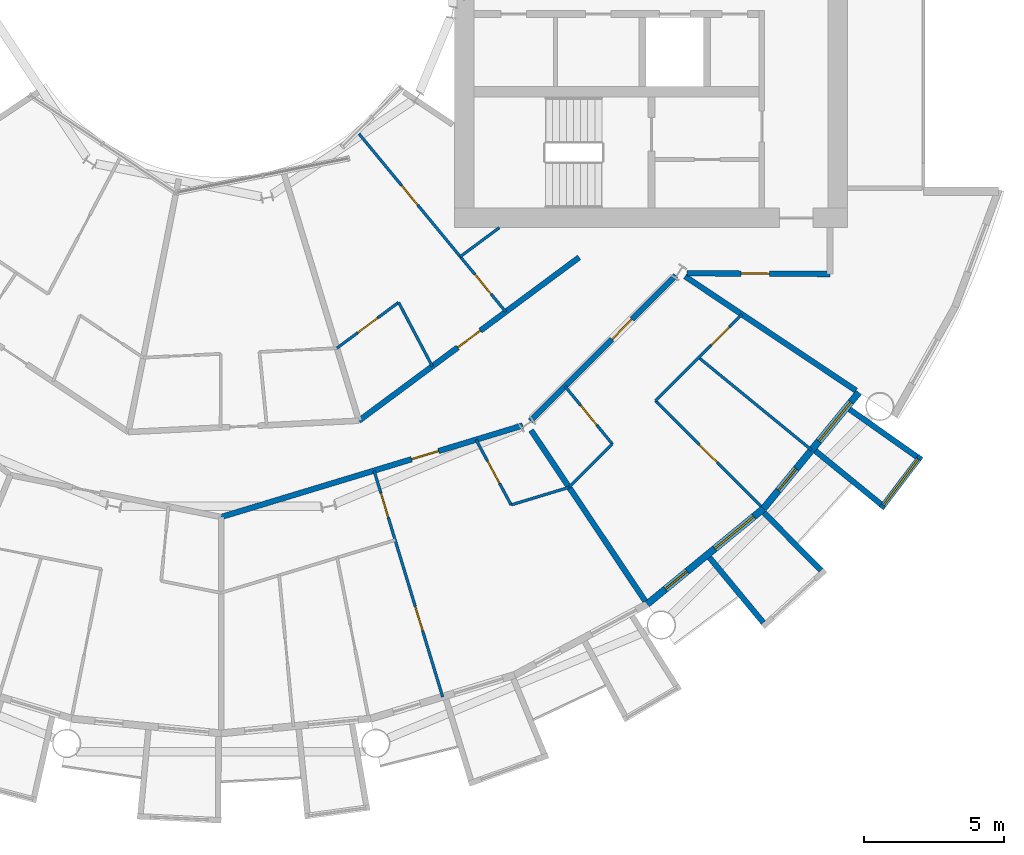
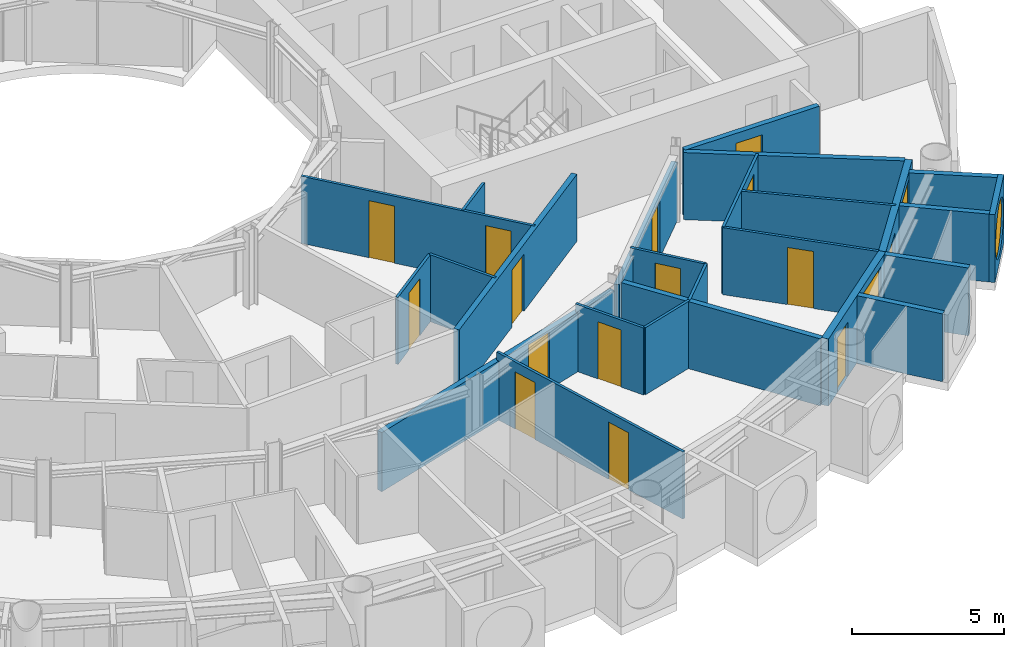
# One storey, part 16 of 26: 25 walls, 15 doors, 3 windows, 18 openings.
"""IFC4 building model written with IfcOpenShell, lengths in metres."""

from ifc_helpers import new_model, si_unit, direction, frame, frame_2d, origin, place, context, subcontext, project, spatial, rectangle, circle, extrude, material, layer, layer_set, type_object, element, fill, save


model = new_model("IFC4")

# Units and contexts
model_context = context("Model", 3, precision=1e-05, world=origin(), true_north=direction((0.0, 1.0)))
body_context = subcontext(model_context, "Body", "Model", "MODEL_VIEW")
ifc_project = project(units=[si_unit("LENGTHUNIT", "METRE"), si_unit("AREAUNIT", "SQUARE_METRE"), si_unit("VOLUMEUNIT", "CUBIC_METRE"), si_unit("PLANEANGLEUNIT", "RADIAN"), si_unit("MASSUNIT", "GRAM", prefix="KILO")], contexts=[model_context])

# Site, building, storey
site_placement = place(None, origin())
site = spatial("IfcSite", under=ifc_project, at=site_placement, CompositionType="ELEMENT")
building_placement = place(site_placement, origin())
building = spatial("IfcBuilding", under=site, at=building_placement, Name="Maasbend Ring Residences", CompositionType="ELEMENT")
storey_placement = place(building_placement, frame((0.0, 0.0, 88.0)))
storey = spatial("IfcBuildingStorey", under=building, at=storey_placement, Name="L25", CompositionType="ELEMENT", Elevation=88.0)

# Wall, opening, door
ifc_material_1 = material(Name="Concrete C30/37", Category="concrete")
ifc_layer_1 = layer(ifc_material_1, 0.199951171875)
ifc_layer_set_1 = layer_set([ifc_layer_1], Name="Concrete C30/37")
wall_type_1 = type_object("IfcWallType", Name="CORRIDOR WALL 200 CONCRETE", PredefinedType="PARTITIONING", material=ifc_layer_set_1)
wall_1_placement = place(storey_placement, frame((11.0, -16.18603515625, 0.0), z_axis=(0.0, 0.0, 1.0), x_axis=(0.707106781187, 0.707106781187, 0.0)))
wall_1 = element("IfcWall", 1, at=wall_1_placement, inside=storey, type_object=wall_type_1, Name="U-L25-w012", PredefinedType="PARTITIONING", context=body_context, shape_type="SweptSolid", body=[
    extrude(rectangle(XDim=7.334228515625, YDim=0.199951171875, at=frame_2d((3.6669921875, 0.0))), origin(), (0.0, 0.0, 1.0), 2.3798828125),
])
opening_1_placement = place(wall_1_placement, frame((4.123046875, 0.0, 0.0)))
opening_1 = element("IfcOpeningElement", 2, at=opening_1_placement, cuts=wall_1, Name="Opening D-2548", PredefinedType="OPENING", context=body_context, shape_type="SweptSolid", body=[
    extrude(rectangle(XDim=1.0, YDim=2.300048828125, at=frame_2d((0.5, 1.14990234375))), frame((0.0, 0.10986328125, 0.0), z_axis=(0.0, -1.0, 0.0), x_axis=(1.0, 0.0, 0.0)), (0.0, 0.0, 1.0), 0.219970703125),
])
ifc_material_2 = material(Name="Timber, fire-rated, painted", Category="wood")
door_type_1 = type_object("IfcDoorType", Name="FLAT ENTRANCE DOOR 1000 X 2300 FIRE-RATED", OperationType="NOTDEFINED", PredefinedType="DOOR", material=ifc_material_2)
door_1_placement = place(opening_1_placement, origin())
door_1 = element("IfcDoor", 3, at=door_1_placement, inside=storey, type_object=door_type_1, Name="D-2548", OperationType="SINGLE_SWING_RIGHT", OverallHeight=2.300048828125, OverallWidth=1.0, PredefinedType="DOOR", context=body_context, shape_type="SweptSolid", body=[
    extrude(rectangle(XDim=1.0, YDim=2.300048828125, at=frame_2d((0.5, 1.14990234375))), frame((0.0, 0.02490234375, 0.0), z_axis=(0.0, -1.0, 0.0), x_axis=(1.0, 0.0, 0.0)), (0.0, 0.0, 1.0), 0.050048828125),
])
fill(opening_1, door_1)

wall_2_placement = place(storey_placement, frame((0.0, -19.60009765625, 0.0), z_axis=(0.0, 0.0, 1.0), x_axis=(0.956932298225, 0.290311172044, 0.0)))
wall_2 = element("IfcWall", 4, at=wall_2_placement, inside=storey, type_object=wall_type_1, Name="U-L25-w014", PredefinedType="PARTITIONING", context=body_context, shape_type="SweptSolid", body=[
    extrude(rectangle(XDim=11.21923828125, YDim=0.199951171875, at=frame_2d((5.609619140625, 0.0))), origin(), (0.0, 0.0, 1.0), 2.3798828125),
])
opening_2_placement = place(wall_2_placement, frame((7.0859375, 0.0, 0.0)))
opening_2 = element("IfcOpeningElement", 5, at=opening_2_placement, cuts=wall_2, Name="Opening D-2542", PredefinedType="OPENING", context=body_context, shape_type="SweptSolid", body=[
    extrude(rectangle(XDim=1.0, YDim=2.300048828125, at=frame_2d((0.5, 1.14990234375))), frame((0.0, 0.10986328125, 0.0), z_axis=(0.0, -1.0, 0.0), x_axis=(1.0, 0.0, 0.0)), (0.0, 0.0, 1.0), 0.219970703125),
])
door_2_placement = place(opening_2_placement, origin())
door_2 = element("IfcDoor", 6, at=door_2_placement, inside=storey, type_object=door_type_1, Name="D-2542", OperationType="SINGLE_SWING_RIGHT", OverallHeight=2.300048828125, OverallWidth=1.0, PredefinedType="DOOR", context=body_context, shape_type="SweptSolid", body=[
    extrude(rectangle(XDim=1.0, YDim=2.300048828125, at=frame_2d((0.5, 1.14990234375))), frame((0.0, 0.02490234375, 0.0), z_axis=(0.0, -1.0, 0.0), x_axis=(1.0, 0.0, 0.0)), (0.0, 0.0, 1.0), 0.050048828125),
])
fill(opening_2, door_2)

wall_3_placement = place(storey_placement, frame((4.906005859375, -16.172119140625, 0.0), z_axis=(0.0, 0.0, 1.0), x_axis=(0.803191461888, 0.595720971219, 0.0)))
wall_3 = element("IfcWall", 7, at=wall_3_placement, inside=storey, type_object=wall_type_1, Name="U-L25-w016", PredefinedType="PARTITIONING", context=body_context, shape_type="SweptSolid", body=[
    extrude(rectangle(XDim=9.760009765625, YDim=0.199951171875, at=frame_2d((4.8798828125, 0.0))), origin(), (0.0, 0.0, 1.0), 2.699951171875),
])
opening_3_placement = place(wall_3_placement, frame((4.3798828125, 0.0, 0.0)))
opening_3 = element("IfcOpeningElement", 8, at=opening_3_placement, cuts=wall_3, Name="Opening D-2559", PredefinedType="OPENING", context=body_context, shape_type="SweptSolid", body=[
    extrude(rectangle(XDim=1.0, YDim=2.300048828125, at=frame_2d((0.5, 1.14990234375))), frame((0.0, 0.10986328125, 0.0), z_axis=(0.0, -1.0, 0.0), x_axis=(1.0, 0.0, 0.0)), (0.0, 0.0, 1.0), 0.219970703125),
])
door_3_placement = place(opening_3_placement, origin())
door_3 = element("IfcDoor", 9, at=door_3_placement, inside=storey, type_object=door_type_1, Name="D-2559", OperationType="SINGLE_SWING_LEFT", OverallHeight=2.300048828125, OverallWidth=1.0, PredefinedType="DOOR", context=body_context, shape_type="SweptSolid", body=[
    extrude(rectangle(XDim=1.0, YDim=2.300048828125, at=frame_2d((0.5, 1.14990234375))), frame((0.0, 0.02490234375, 0.0), z_axis=(0.0, -1.0, 0.0), x_axis=(1.0, 0.0, 0.0)), (0.0, 0.0, 1.0), 0.050048828125),
])
fill(opening_3, door_3)

wall_4_placement = place(storey_placement, frame((16.587890625, -10.925048828125, 0.0), z_axis=(0.0, 0.0, 1.0), x_axis=(0.999988019025, -0.004895079807, 0.0)))
wall_4 = element("IfcWall", 10, at=wall_4_placement, inside=storey, type_object=wall_type_1, Name="U-L25-w025", PredefinedType="PARTITIONING", context=body_context, shape_type="SweptSolid", body=[
    extrude(rectangle(XDim=5.087158203125, YDim=0.199951171875, at=frame_2d((2.54345703125, 0.0))), origin(), (0.0, 0.0, 1.0), 2.699951171875),
])
opening_4_placement = place(wall_4_placement, frame((1.925048828125, 0.0, 0.0)))
opening_4 = element("IfcOpeningElement", 11, at=opening_4_placement, cuts=wall_4, Name="Opening D-2565", PredefinedType="OPENING", context=body_context, shape_type="SweptSolid", body=[
    extrude(rectangle(XDim=1.0, YDim=2.300048828125, at=frame_2d((0.5, 1.14990234375))), frame((0.0, 0.10986328125, 0.0), z_axis=(0.0, -1.0, 0.0), x_axis=(1.0, 0.0, 0.0)), (0.0, 0.0, 1.0), 0.219970703125),
])
ifc_material_3 = material(Name="Timber, painted", Category="wood")
door_type_2 = type_object("IfcDoorType", Name="ROOM DOOR 1000 X 2300", OperationType="NOTDEFINED", PredefinedType="DOOR", material=ifc_material_3)
door_4_placement = place(opening_4_placement, origin())
door_4 = element("IfcDoor", 12, at=door_4_placement, inside=storey, type_object=door_type_2, Name="D-2565", OperationType="SINGLE_SWING_LEFT", OverallHeight=2.300048828125, OverallWidth=1.0, PredefinedType="DOOR", context=body_context, shape_type="SweptSolid", body=[
    extrude(rectangle(XDim=1.0, YDim=2.300048828125, at=frame_2d((0.5, 1.14990234375))), frame((0.0, 0.02490234375, 0.0), z_axis=(0.0, -1.0, 0.0), x_axis=(1.0, 0.0, 0.0)), (0.0, 0.0, 1.0), 0.050048828125),
])
fill(opening_4, door_4)

# Walls
ifc_material_4 = material(Name="Pale anodised aluminium panel", Category="aluminium")
ifc_layer_2 = layer(ifc_material_4, 0.199951171875)
ifc_layer_set_2 = layer_set([ifc_layer_2], Name="EW-BOX")
wall_type_2 = type_object("IfcWallType", Name="EW-BOX", PredefinedType="SOLIDWALL", material=ifc_layer_set_2)
wall_5_placement = place(storey_placement, frame((17.384033203125, -21.041015625, -0.030029296875), z_axis=(0.0, 0.0, 1.0), x_axis=(0.63709551667, -0.770784861449, 0.0)))
element("IfcWall", 13, at=wall_5_placement, inside=storey, type_object=wall_type_2, Name="Box side wall S18 left", PredefinedType="SOLIDWALL", context=body_context, shape_type="SweptSolid", body=[
    extrude(rectangle(XDim=3.005859375, YDim=0.199951171875, at=frame_2d((1.5029296875, 0.0))), origin(), (0.0, 0.0, 1.0), 2.72998046875),
])
wall_6_placement = place(storey_placement, frame((19.322998046875, -19.449951171875, -0.030029296875), z_axis=(0.0, 0.0, 1.0), x_axis=(0.704476739375, -0.709727076896, 0.0)))
element("IfcWall", 14, at=wall_6_placement, inside=storey, type_object=wall_type_2, Name="Box side wall S18 right", PredefinedType="SOLIDWALL", context=body_context, shape_type="SweptSolid", body=[
    extrude(rectangle(XDim=2.883056640625, YDim=0.199951171875, at=frame_2d((1.44140625, 0.0))), origin(), (0.0, 0.0, 1.0), 2.72998046875),
])

# Wall, opening, window
wall_7_placement = place(storey_placement, frame((23.4970703125, -19.2890625, -0.030029296875), z_axis=(0.0, 0.0, 1.0), x_axis=(0.60418752353, 0.796842165306, 0.0)))
wall_7 = element("IfcWall", 15, at=wall_7_placement, inside=storey, type_object=wall_type_2, Name="Box front S20", PredefinedType="SOLIDWALL", context=body_context, shape_type="SweptSolid", body=[
    extrude(rectangle(XDim=2.3369140625, YDim=0.199951171875, at=frame_2d((1.16845703125, 0.0))), origin(), (0.0, 0.0, 1.0), 2.72998046875),
])
opening_5_placement = place(wall_7_placement, frame((0.128173828125, 0.0, 0.330078125)))
opening_5 = element("IfcOpeningElement", 16, at=opening_5_placement, cuts=wall_7, Name="Opening W-RD", PredefinedType="OPENING", context=body_context, shape_type="SweptSolid", body=[
    extrude(circle(Radius=1.0400390625, at=frame_2d((1.0400390625, 1.0400390625))), frame((0.0, 0.10986328125, 0.0), z_axis=(0.0, -1.0, 0.0), x_axis=(1.0, 0.0, 0.0)), (0.0, 0.0, 1.0), 0.219970703125),
])
ifc_material_5 = material(Name="Aluminium and clear glass", Category="aluminium")
window_type_1 = type_object("IfcWindowType", Name="W-RD", PartitioningType="SINGLE_PANEL", PredefinedType="WINDOW", material=ifc_material_5)
window_1_placement = place(opening_5_placement, origin())
window_1 = element("IfcWindow", 17, at=window_1_placement, inside=storey, type_object=window_type_1, Name="Round window S20", OverallHeight=2.080078125, OverallWidth=2.080078125, PartitioningType="SINGLE_PANEL", PredefinedType="WINDOW", context=body_context, shape_type="SweptSolid", body=[
    extrude(circle(Radius=1.0400390625, at=frame_2d((1.0400390625, 1.0400390625))), frame((0.0, 0.030029296875, 0.0), z_axis=(0.0, -1.0, 0.0), x_axis=(1.0, 0.0, 0.0)), (0.0, 0.0, 1.0), 0.06005859375),
])
fill(opening_5, window_1)

# Walls
wall_8_placement = place(storey_placement, frame((21.155029296875, -17.24609375, -0.030029296875), z_axis=(0.0, 0.0, 1.0), x_axis=(0.775179004516, -0.631741648902, 0.0)))
element("IfcWall", 18, at=wall_8_placement, inside=storey, type_object=wall_type_2, Name="Box side wall S20 left", PredefinedType="SOLIDWALL", context=body_context, shape_type="SweptSolid", body=[
    extrude(rectangle(XDim=3.005859375, YDim=0.199951171875, at=frame_2d((1.5029296875, 0.0))), origin(), (0.0, 0.0, 1.0), 2.72998046875),
])
wall_9_placement = place(storey_placement, frame((22.3701171875, -15.764892578125, -0.030029296875), z_axis=(0.0, 0.0, 1.0), x_axis=(0.817256123454, -0.576274612209, 0.0)))
element("IfcWall", 19, at=wall_9_placement, inside=storey, type_object=wall_type_2, Name="Box side wall S20 right", PredefinedType="SOLIDWALL", context=body_context, shape_type="SweptSolid", body=[
    extrude(rectangle(XDim=2.932861328125, YDim=0.199951171875, at=frame_2d((1.46630859375, 0.0))), origin(), (0.0, 0.0, 1.0), 2.72998046875),
])

# Wall, openings, door, window
ifc_material_6 = material(Name="Aluminium clad insulated panel", Category="aluminium")
ifc_layer_3 = layer(ifc_material_6, 0.25)
ifc_layer_set_3 = layer_set([ifc_layer_3], Name="EW-GL")
wall_type_3 = type_object("IfcWallType", Name="EW-GL", PredefinedType="SOLIDWALL", material=ifc_layer_set_3)
wall_10_placement = place(storey_placement, frame((15.1669921875, -22.698974609375, 0.0), z_axis=(0.0, 0.0, 1.0), x_axis=(0.773019449054, 0.634382322723, 0.0)))
wall_10 = element("IfcWall", 20, at=wall_10_placement, inside=storey, type_object=wall_type_3, Name="External wall S09", PredefinedType="SOLIDWALL", context=body_context, shape_type="SweptSolid", body=[
    extrude(rectangle(XDim=5.351806640625, YDim=0.25, at=frame_2d((2.67578125, 0.0))), origin(), (0.0, 0.0, 1.0), 2.699951171875),
])
opening_6_placement = place(wall_10_placement, frame((0.841064453125, 0.0, 0.0)))
opening_6 = element("IfcOpeningElement", 21, at=opening_6_placement, cuts=wall_10, Name="Opening D-LG", PredefinedType="OPENING", context=body_context, shape_type="SweptSolid", body=[
    extrude(rectangle(XDim=1.0, YDim=2.199951171875, at=frame_2d((0.5, 1.10009765625))), frame((0.0, 0.135009765625, 0.0), z_axis=(0.0, -1.0, 0.0), x_axis=(1.0, 0.0, 0.0)), (0.0, 0.0, 1.0), 0.27001953125),
])
opening_7_placement = place(wall_10_placement, frame((3.110595703125, 0.0, 0.300048828125)))
opening_7 = element("IfcOpeningElement", 22, at=opening_7_placement, cuts=wall_10, Name="Opening W-BX", PredefinedType="OPENING", context=body_context, shape_type="SweptSolid", body=[
    extrude(rectangle(XDim=1.800048828125, YDim=2.10009765625, at=frame_2d((0.89990234375, 1.050048828125))), frame((0.0, 0.135009765625, 0.0), z_axis=(0.0, -1.0, 0.0), x_axis=(1.0, 0.0, 0.0)), (0.0, 0.0, 1.0), 0.27001953125),
])
ifc_material_7 = material(Name="Aluminium and clear glass", Category="aluminium")
door_type_3 = type_object("IfcDoorType", Name="D-LG", OperationType="SINGLE_SWING_LEFT", PredefinedType="DOOR", material=ifc_material_7)
door_5_placement = place(opening_6_placement, origin())
door_5 = element("IfcDoor", 23, at=door_5_placement, inside=storey, type_object=door_type_3, Name="Loggia door S17", OperationType="SINGLE_SWING_LEFT", OverallHeight=2.199951171875, OverallWidth=1.0, PredefinedType="DOOR", context=body_context, shape_type="SweptSolid", body=[
    extrude(rectangle(XDim=1.0, YDim=2.199951171875, at=frame_2d((0.5, 1.10009765625))), frame((0.0, 0.02490234375, 0.0), z_axis=(0.0, -1.0, 0.0), x_axis=(1.0, 0.0, 0.0)), (0.0, 0.0, 1.0), 0.050048828125),
])
fill(opening_6, door_5)
ifc_material_8 = material(Name="Aluminium and clear glass", Category="aluminium")
window_type_2 = type_object("IfcWindowType", Name="W-BX", PartitioningType="DOUBLE_PANEL_VERTICAL", PredefinedType="WINDOW", material=ifc_material_8)
window_2_placement = place(opening_7_placement, origin())
window_2 = element("IfcWindow", 24, at=window_2_placement, inside=storey, type_object=window_type_2, Name="Window S18 room to box", OverallHeight=2.10009765625, OverallWidth=1.800048828125, PartitioningType="SINGLE_PANEL", PredefinedType="WINDOW", context=body_context, shape_type="SweptSolid", body=[
    extrude(rectangle(XDim=1.800048828125, YDim=2.10009765625, at=frame_2d((0.89990234375, 1.050048828125))), frame((0.0, 0.030029296875, 0.0), z_axis=(0.0, -1.0, 0.0), x_axis=(1.0, 0.0, 0.0)), (0.0, 0.0, 1.0), 0.06005859375),
])
fill(opening_7, window_2)

wall_11_placement = place(storey_placement, frame((19.303955078125, -19.303955078125, 0.0), z_axis=(0.0, 0.0, 1.0), x_axis=(0.634382322723, 0.773019449054, 0.0)))
wall_11 = element("IfcWall", 25, at=wall_11_placement, inside=storey, type_object=wall_type_3, Name="External wall S10", PredefinedType="SOLIDWALL", context=body_context, shape_type="SweptSolid", body=[
    extrude(rectangle(XDim=5.351806640625, YDim=0.25, at=frame_2d((2.67578125, 0.0))), origin(), (0.0, 0.0, 1.0), 2.699951171875),
])
opening_8_placement = place(wall_11_placement, frame((0.841064453125, 0.0, 0.0)))
opening_8 = element("IfcOpeningElement", 26, at=opening_8_placement, cuts=wall_11, Name="Opening D-LG", PredefinedType="OPENING", context=body_context, shape_type="SweptSolid", body=[
    extrude(rectangle(XDim=1.0, YDim=2.199951171875, at=frame_2d((0.5, 1.10009765625))), frame((0.0, 0.135009765625, 0.0), z_axis=(0.0, -1.0, 0.0), x_axis=(1.0, 0.0, 0.0)), (0.0, 0.0, 1.0), 0.27001953125),
])
opening_9_placement = place(wall_11_placement, frame((3.110595703125, 0.0, 0.300048828125)))
opening_9 = element("IfcOpeningElement", 27, at=opening_9_placement, cuts=wall_11, Name="Opening W-BX", PredefinedType="OPENING", context=body_context, shape_type="SweptSolid", body=[
    extrude(rectangle(XDim=1.800048828125, YDim=2.10009765625, at=frame_2d((0.89990234375, 1.050048828125))), frame((0.0, 0.135009765625, 0.0), z_axis=(0.0, -1.0, 0.0), x_axis=(1.0, 0.0, 0.0)), (0.0, 0.0, 1.0), 0.27001953125),
])
door_6_placement = place(opening_8_placement, origin())
door_6 = element("IfcDoor", 28, at=door_6_placement, inside=storey, type_object=door_type_3, Name="Loggia door S19", OperationType="SINGLE_SWING_LEFT", OverallHeight=2.199951171875, OverallWidth=1.0, PredefinedType="DOOR", context=body_context, shape_type="SweptSolid", body=[
    extrude(rectangle(XDim=1.0, YDim=2.199951171875, at=frame_2d((0.5, 1.10009765625))), frame((0.0, 0.02490234375, 0.0), z_axis=(0.0, -1.0, 0.0), x_axis=(1.0, 0.0, 0.0)), (0.0, 0.0, 1.0), 0.050048828125),
])
fill(opening_8, door_6)
window_3_placement = place(opening_9_placement, origin())
window_3 = element("IfcWindow", 29, at=window_3_placement, inside=storey, type_object=window_type_2, Name="Window S20 room to box", OverallHeight=2.10009765625, OverallWidth=1.800048828125, PartitioningType="SINGLE_PANEL", PredefinedType="WINDOW", context=body_context, shape_type="SweptSolid", body=[
    extrude(rectangle(XDim=1.800048828125, YDim=2.10009765625, at=frame_2d((0.89990234375, 1.050048828125))), frame((0.0, 0.030029296875, 0.0), z_axis=(0.0, -1.0, 0.0), x_axis=(1.0, 0.0, 0.0)), (0.0, 0.0, 1.0), 0.06005859375),
])
fill(opening_9, window_3)

# Wall
ifc_material_9 = material(Name="Gypsum board on steel studs", Category="steel")
ifc_layer_4 = layer(ifc_material_9, 0.10009765625)
ifc_layer_set_4 = layer_set([ifc_layer_4], Name="PARTITION 100 GYPSUM")
wall_type_4 = type_object("IfcWallType", Name="PARTITION 100 GYPSUM", PredefinedType="PARTITIONING", material=ifc_layer_set_4)
wall_12_placement = place(storey_placement, frame((12.388916015625, -18.5419921875, 0.0), z_axis=(0.0, 0.0, 1.0), x_axis=(0.707106781187, 0.707106781187, 0.0)))
element("IfcWall", 30, at=wall_12_placement, inside=storey, type_object=wall_type_4, Name="U-L25-w003", PredefinedType="PARTITIONING", context=body_context, shape_type="SweptSolid", body=[
    extrude(rectangle(XDim=2.17529296875, YDim=0.10009765625, at=frame_2d((1.087646484375, 0.0))), origin(), (0.0, 0.0, 1.0), 2.699951171875),
])

# Wall, opening, door
wall_13_placement = place(storey_placement, frame((15.468017578125, -15.462890625, 0.0), z_axis=(0.0, 0.0, 1.0), x_axis=(0.707106781187, 0.707106781187, 0.0)))
wall_13 = element("IfcWall", 31, at=wall_13_placement, inside=storey, type_object=wall_type_4, Name="U-L25-w004", PredefinedType="PARTITIONING", context=body_context, shape_type="SweptSolid", body=[
    extrude(rectangle(XDim=4.351318359375, YDim=0.10009765625, at=frame_2d((2.17578125, 0.0))), origin(), (0.0, 0.0, 1.0), 2.699951171875),
])
opening_10_placement = place(wall_13_placement, frame((2.80810546875, 0.0, 0.0)))
opening_10 = element("IfcOpeningElement", 32, at=opening_10_placement, cuts=wall_13, Name="Opening D-2551", PredefinedType="OPENING", context=body_context, shape_type="SweptSolid", body=[
    extrude(rectangle(XDim=0.89990234375, YDim=2.300048828125, at=frame_2d((0.449951171875, 1.14990234375))), frame((0.0, 0.06005859375, 0.0), z_axis=(0.0, -1.0, 0.0), x_axis=(1.0, 0.0, 0.0)), (0.0, 0.0, 1.0), 0.1201171875),
])
ifc_material_10 = material(Name="Timber, painted", Category="wood")
door_type_4 = type_object("IfcDoorType", Name="INTERNAL DOOR 900 X 2300", OperationType="NOTDEFINED", PredefinedType="DOOR", material=ifc_material_10)
door_7_placement = place(opening_10_placement, origin())
door_7 = element("IfcDoor", 33, at=door_7_placement, inside=storey, type_object=door_type_4, Name="D-2551", OperationType="SINGLE_SWING_RIGHT", OverallHeight=2.300048828125, OverallWidth=0.89990234375, PredefinedType="DOOR", context=body_context, shape_type="SweptSolid", body=[
    extrude(rectangle(XDim=0.89990234375, YDim=2.300048828125, at=frame_2d((0.449951171875, 1.14990234375))), frame((0.0, 0.02490234375, 0.0), z_axis=(0.0, -1.0, 0.0), x_axis=(1.0, 0.0, 0.0)), (0.0, 0.0, 1.0), 0.050048828125),
])
fill(opening_10, door_7)

# Wall
wall_14_placement = place(storey_placement, frame((10.326904296875, -19.16796875, 0.0), z_axis=(0.0, 0.0, 1.0), x_axis=(0.956877769253, 0.290490851335, 0.0)))
element("IfcWall", 34, at=wall_14_placement, inside=storey, type_object=wall_type_4, Name="U-L25-w010", PredefinedType="PARTITIONING", context=body_context, shape_type="SweptSolid", body=[
    extrude(rectangle(XDim=2.158203125, YDim=0.10009765625, at=frame_2d((1.0791015625, 0.0))), origin(), (0.0, 0.0, 1.0), 2.699951171875),
])

# Wall, opening, door
wall_15_placement = place(storey_placement, frame((4.123046875, -13.589111328125, 0.0), z_axis=(0.0, 0.0, 1.0), x_axis=(0.803128348509, 0.595806055542, 0.0)))
wall_15 = element("IfcWall", 35, at=wall_15_placement, inside=storey, type_object=wall_type_4, Name="U-L25-w020", PredefinedType="PARTITIONING", context=body_context, shape_type="SweptSolid", body=[
    extrude(rectangle(XDim=2.734375, YDim=0.10009765625, at=frame_2d((1.3671875, 0.0))), origin(), (0.0, 0.0, 1.0), 2.699951171875),
])
opening_11_placement = place(wall_15_placement, frame((0.916015625, 0.0, 0.0)))
opening_11 = element("IfcOpeningElement", 36, at=opening_11_placement, cuts=wall_15, Name="Opening D-2560", PredefinedType="OPENING", context=body_context, shape_type="SweptSolid", body=[
    extrude(rectangle(XDim=0.89990234375, YDim=2.300048828125, at=frame_2d((0.449951171875, 1.14990234375))), frame((0.0, 0.06005859375, 0.0), z_axis=(0.0, -1.0, 0.0), x_axis=(1.0, 0.0, 0.0)), (0.0, 0.0, 1.0), 0.1201171875),
])
door_8_placement = place(opening_11_placement, origin())
door_8 = element("IfcDoor", 37, at=door_8_placement, inside=storey, type_object=door_type_4, Name="D-2560", OperationType="SINGLE_SWING_LEFT", OverallHeight=2.300048828125, OverallWidth=0.89990234375, PredefinedType="DOOR", context=body_context, shape_type="SweptSolid", body=[
    extrude(rectangle(XDim=0.89990234375, YDim=2.300048828125, at=frame_2d((0.449951171875, 1.14990234375))), frame((0.0, 0.02490234375, 0.0), z_axis=(0.0, -1.0, 0.0), x_axis=(1.0, 0.0, 0.0)), (0.0, 0.0, 1.0), 0.050048828125),
])
fill(opening_11, door_8)

# Wall
wall_16_placement = place(storey_placement, frame((8.512939453125, -10.33203125, 0.0), z_axis=(0.0, 0.0, 1.0), x_axis=(0.803135014325, 0.595797070121, 0.0)))
element("IfcWall", 38, at=wall_16_placement, inside=storey, type_object=wall_type_4, Name="U-L25-w021", PredefinedType="PARTITIONING", context=body_context, shape_type="SweptSolid", body=[
    extrude(rectangle(XDim=1.732177734375, YDim=0.10009765625, at=frame_2d((0.8662109375, 0.0))), origin(), (0.0, 0.0, 1.0), 2.699951171875),
])

# Wall, openings, doors
wall_17_placement = place(storey_placement, frame((4.907958984375, -5.958984375, 0.0), z_axis=(0.0, 0.0, 1.0), x_axis=(0.636105207978, -0.771602335652, 0.0)))
wall_17 = element("IfcWall", 39, at=wall_17_placement, inside=storey, type_object=wall_type_4, Name="U-L25-w067", PredefinedType="PARTITIONING", context=body_context, shape_type="SweptSolid", body=[
    extrude(rectangle(XDim=8.212646484375, YDim=0.10009765625, at=frame_2d((4.1064453125, 0.0))), origin(), (0.0, 0.0, 1.0), 2.699951171875),
])
opening_12_placement = place(wall_17_placement, frame((6.489990234375, 0.0, 0.0)))
opening_12 = element("IfcOpeningElement", 40, at=opening_12_placement, cuts=wall_17, Name="Opening D-2561", PredefinedType="OPENING", context=body_context, shape_type="SweptSolid", body=[
    extrude(rectangle(XDim=0.89990234375, YDim=2.300048828125, at=frame_2d((0.449951171875, 1.14990234375))), frame((0.0, 0.06005859375, 0.0), z_axis=(0.0, -1.0, 0.0), x_axis=(1.0, 0.0, 0.0)), (0.0, 0.0, 1.0), 0.1201171875),
])
opening_13_placement = place(wall_17_placement, frame((2.384033203125, 0.0, 0.0)))
opening_13 = element("IfcOpeningElement", 41, at=opening_13_placement, cuts=wall_17, Name="Opening D-2562", PredefinedType="OPENING", context=body_context, shape_type="SweptSolid", body=[
    extrude(rectangle(XDim=0.89990234375, YDim=2.300048828125, at=frame_2d((0.449951171875, 1.14990234375))), frame((0.0, 0.06005859375, 0.0), z_axis=(0.0, -1.0, 0.0), x_axis=(1.0, 0.0, 0.0)), (0.0, 0.0, 1.0), 0.1201171875),
])
door_9_placement = place(opening_12_placement, origin())
door_9 = element("IfcDoor", 42, at=door_9_placement, inside=storey, type_object=door_type_4, Name="D-2561", OperationType="SINGLE_SWING_RIGHT", OverallHeight=2.300048828125, OverallWidth=0.89990234375, PredefinedType="DOOR", context=body_context, shape_type="SweptSolid", body=[
    extrude(rectangle(XDim=0.89990234375, YDim=2.300048828125, at=frame_2d((0.449951171875, 1.14990234375))), frame((0.0, 0.02490234375, 0.0), z_axis=(0.0, -1.0, 0.0), x_axis=(1.0, 0.0, 0.0)), (0.0, 0.0, 1.0), 0.050048828125),
])
fill(opening_12, door_9)
door_10_placement = place(opening_13_placement, origin())
door_10 = element("IfcDoor", 43, at=door_10_placement, inside=storey, type_object=door_type_4, Name="D-2562", OperationType="SINGLE_SWING_LEFT", OverallHeight=2.300048828125, OverallWidth=0.89990234375, PredefinedType="DOOR", context=body_context, shape_type="SweptSolid", body=[
    extrude(rectangle(XDim=0.89990234375, YDim=2.300048828125, at=frame_2d((0.449951171875, 1.14990234375))), frame((0.0, 0.02490234375, 0.0), z_axis=(0.0, -1.0, 0.0), x_axis=(1.0, 0.0, 0.0)), (0.0, 0.0, 1.0), 0.050048828125),
])
fill(opening_13, door_10)

wall_18_placement = place(storey_placement, frame((5.445068359375, -17.947998046875, 0.0), z_axis=(0.0, 0.0, 1.0), x_axis=(0.290158700753, -0.956978541231, 0.0)))
wall_18 = element("IfcWall", 44, at=wall_18_placement, inside=storey, type_object=wall_type_4, Name="U-L25-w069", PredefinedType="PARTITIONING", context=body_context, shape_type="SweptSolid", body=[
    extrude(rectangle(XDim=8.419189453125, YDim=0.10009765625, at=frame_2d((4.20947265625, 0.0))), origin(), (0.0, 0.0, 1.0), 2.699951171875),
])
opening_14_placement = place(wall_18_placement, frame((0.842041015625, 0.0, 0.0)))
opening_14 = element("IfcOpeningElement", 45, at=opening_14_placement, cuts=wall_18, Name="Opening D-2544", PredefinedType="OPENING", context=body_context, shape_type="SweptSolid", body=[
    extrude(rectangle(XDim=0.89990234375, YDim=2.300048828125, at=frame_2d((0.449951171875, 1.14990234375))), frame((0.0, 0.06005859375, 0.0), z_axis=(0.0, -1.0, 0.0), x_axis=(1.0, 0.0, 0.0)), (0.0, 0.0, 1.0), 0.1201171875),
])
opening_15_placement = place(wall_18_placement, frame((5.052001953125, 0.0, 0.0)))
opening_15 = element("IfcOpeningElement", 46, at=opening_15_placement, cuts=wall_18, Name="Opening D-2545", PredefinedType="OPENING", context=body_context, shape_type="SweptSolid", body=[
    extrude(rectangle(XDim=0.89990234375, YDim=2.300048828125, at=frame_2d((0.449951171875, 1.14990234375))), frame((0.0, 0.06005859375, 0.0), z_axis=(0.0, -1.0, 0.0), x_axis=(1.0, 0.0, 0.0)), (0.0, 0.0, 1.0), 0.1201171875),
])
door_11_placement = place(opening_14_placement, origin())
door_11 = element("IfcDoor", 47, at=door_11_placement, inside=storey, type_object=door_type_4, Name="D-2544", OperationType="SINGLE_SWING_LEFT", OverallHeight=2.300048828125, OverallWidth=0.89990234375, PredefinedType="DOOR", context=body_context, shape_type="SweptSolid", body=[
    extrude(rectangle(XDim=0.89990234375, YDim=2.300048828125, at=frame_2d((0.449951171875, 1.14990234375))), frame((0.0, 0.02490234375, 0.0), z_axis=(0.0, -1.0, 0.0), x_axis=(1.0, 0.0, 0.0)), (0.0, 0.0, 1.0), 0.050048828125),
])
fill(opening_14, door_11)
door_12_placement = place(opening_15_placement, origin())
door_12 = element("IfcDoor", 48, at=door_12_placement, inside=storey, type_object=door_type_4, Name="D-2545", OperationType="SINGLE_SWING_RIGHT", OverallHeight=2.300048828125, OverallWidth=0.89990234375, PredefinedType="DOOR", context=body_context, shape_type="SweptSolid", body=[
    extrude(rectangle(XDim=0.89990234375, YDim=2.300048828125, at=frame_2d((0.449951171875, 1.14990234375))), frame((0.0, 0.02490234375, 0.0), z_axis=(0.0, -1.0, 0.0), x_axis=(1.0, 0.0, 0.0)), (0.0, 0.0, 1.0), 0.050048828125),
])
fill(opening_15, door_12)

# Wall
wall_19_placement = place(storey_placement, frame((6.31689453125, -11.9599609375, 0.0), z_axis=(0.0, 0.0, 1.0), x_axis=(0.466880254022, -0.884320546185, 0.0)))
element("IfcWall", 49, at=wall_19_placement, inside=storey, type_object=wall_type_4, Name="U-L25-w071", PredefinedType="PARTITIONING", context=body_context, shape_type="SweptSolid", body=[
    extrude(rectangle(XDim=2.57275390625, YDim=0.10009765625, at=frame_2d((1.286376953125, 0.0))), origin(), (0.0, 0.0, 1.0), 2.699951171875),
])

# Wall, opening, door
wall_20_placement = place(storey_placement, frame((9.073974609375, -16.846923828125, 0.0), z_axis=(0.0, 0.0, 1.0), x_axis=(0.474160570331, -0.880438387136, 0.0)))
wall_20 = element("IfcWall", 50, at=wall_20_placement, inside=storey, type_object=wall_type_4, Name="U-L25-w073", PredefinedType="PARTITIONING", context=body_context, shape_type="SweptSolid", body=[
    extrude(rectangle(XDim=2.63623046875, YDim=0.10009765625, at=frame_2d((1.318115234375, 0.0))), origin(), (0.0, 0.0, 1.0), 2.699951171875),
])
opening_16_placement = place(wall_20_placement, frame((0.867919921875, 0.0, 0.0)))
opening_16 = element("IfcOpeningElement", 51, at=opening_16_placement, cuts=wall_20, Name="Opening D-2543", PredefinedType="OPENING", context=body_context, shape_type="SweptSolid", body=[
    extrude(rectangle(XDim=0.89990234375, YDim=2.300048828125, at=frame_2d((0.449951171875, 1.14990234375))), frame((0.0, 0.06005859375, 0.0), z_axis=(0.0, -1.0, 0.0), x_axis=(1.0, 0.0, 0.0)), (0.0, 0.0, 1.0), 0.1201171875),
])
door_13_placement = place(opening_16_placement, origin())
door_13 = element("IfcDoor", 52, at=door_13_placement, inside=storey, type_object=door_type_4, Name="D-2543", OperationType="SINGLE_SWING_RIGHT", OverallHeight=2.300048828125, OverallWidth=0.89990234375, PredefinedType="DOOR", context=body_context, shape_type="SweptSolid", body=[
    extrude(rectangle(XDim=0.89990234375, YDim=2.300048828125, at=frame_2d((0.449951171875, 1.14990234375))), frame((0.0, 0.02490234375, 0.0), z_axis=(0.0, -1.0, 0.0), x_axis=(1.0, 0.0, 0.0)), (0.0, 0.0, 1.0), 0.050048828125),
])
fill(opening_16, door_13)

wall_21_placement = place(storey_placement, frame((12.240966796875, -14.945068359375, 0.0), z_axis=(0.0, 0.0, 1.0), x_axis=(0.633582447834, -0.77367517848, 0.0)))
wall_21 = element("IfcWall", 53, at=wall_21_placement, inside=storey, type_object=wall_type_4, Name="U-L25-w077", PredefinedType="PARTITIONING", context=body_context, shape_type="SweptSolid", body=[
    extrude(rectangle(XDim=2.6611328125, YDim=0.10009765625, at=frame_2d((1.33056640625, 0.0))), origin(), (0.0, 0.0, 1.0), 2.699951171875),
])
opening_17_placement = place(wall_21_placement, frame((0.881103515625, 0.0, 0.0)))
opening_17 = element("IfcOpeningElement", 54, at=opening_17_placement, cuts=wall_21, Name="Opening D-2549", PredefinedType="OPENING", context=body_context, shape_type="SweptSolid", body=[
    extrude(rectangle(XDim=0.89990234375, YDim=2.300048828125, at=frame_2d((0.449951171875, 1.14990234375))), frame((0.0, 0.06005859375, 0.0), z_axis=(0.0, -1.0, 0.0), x_axis=(1.0, 0.0, 0.0)), (0.0, 0.0, 1.0), 0.1201171875),
])
door_14_placement = place(opening_17_placement, origin())
door_14 = element("IfcDoor", 55, at=door_14_placement, inside=storey, type_object=door_type_4, Name="D-2549", OperationType="SINGLE_SWING_LEFT", OverallHeight=2.300048828125, OverallWidth=0.89990234375, PredefinedType="DOOR", context=body_context, shape_type="SweptSolid", body=[
    extrude(rectangle(XDim=0.89990234375, YDim=2.300048828125, at=frame_2d((0.449951171875, 1.14990234375))), frame((0.0, 0.02490234375, 0.0), z_axis=(0.0, -1.0, 0.0), x_axis=(1.0, 0.0, 0.0)), (0.0, 0.0, 1.0), 0.050048828125),
])
fill(opening_17, door_14)

wall_22_placement = place(storey_placement, frame((15.465087890625, -15.465087890625, 0.0), z_axis=(0.0, 0.0, 1.0), x_axis=(0.707106781187, -0.707106781187, 0.0)))
wall_22 = element("IfcWall", 56, at=wall_22_placement, inside=storey, type_object=wall_type_4, Name="U-L25-w080", PredefinedType="PARTITIONING", context=body_context, shape_type="SweptSolid", body=[
    extrude(rectangle(XDim=5.3046875, YDim=0.10009765625, at=frame_2d((2.65234375, 0.0))), origin(), (0.0, 0.0, 1.0), 2.699951171875),
])
opening_18_placement = place(wall_22_placement, frame((2.201904296875, 0.0, 0.0)))
opening_18 = element("IfcOpeningElement", 57, at=opening_18_placement, cuts=wall_22, Name="Opening D-2550", PredefinedType="OPENING", context=body_context, shape_type="SweptSolid", body=[
    extrude(rectangle(XDim=0.89990234375, YDim=2.300048828125, at=frame_2d((0.449951171875, 1.14990234375))), frame((0.0, 0.06005859375, 0.0), z_axis=(0.0, -1.0, 0.0), x_axis=(1.0, 0.0, 0.0)), (0.0, 0.0, 1.0), 0.1201171875),
])
door_15_placement = place(opening_18_placement, origin())
door_15 = element("IfcDoor", 58, at=door_15_placement, inside=storey, type_object=door_type_4, Name="D-2550", OperationType="SINGLE_SWING_RIGHT", OverallHeight=2.300048828125, OverallWidth=0.89990234375, PredefinedType="DOOR", context=body_context, shape_type="SweptSolid", body=[
    extrude(rectangle(XDim=0.89990234375, YDim=2.300048828125, at=frame_2d((0.449951171875, 1.14990234375))), frame((0.0, 0.02490234375, 0.0), z_axis=(0.0, -1.0, 0.0), x_axis=(1.0, 0.0, 0.0)), (0.0, 0.0, 1.0), 0.050048828125),
])
fill(opening_18, door_15)

# Walls
wall_23_placement = place(storey_placement, frame((17.00390625, -13.927001953125, 0.0), z_axis=(0.0, 0.0, 1.0), x_axis=(0.773517471898, -0.633774976367, 0.0)))
element("IfcWall", 59, at=wall_23_placement, inside=storey, type_object=wall_type_4, Name="U-L25-w084", PredefinedType="PARTITIONING", context=body_context, shape_type="SweptSolid", body=[
    extrude(rectangle(XDim=5.19580078125, YDim=0.10009765625, at=frame_2d((2.597900390625, 0.0))), origin(), (0.0, 0.0, 1.0), 2.699951171875),
])
ifc_material_11 = material(Name="Concrete C30/37", Category="concrete")
ifc_layer_5 = layer(ifc_material_11, 0.199951171875)
ifc_layer_set_5 = layer_set([ifc_layer_5], Name="Concrete C30/37")
wall_type_5 = type_object("IfcWallType", Name="PARTY WALL 200 CONCRETE", PredefinedType="PARTITIONING", material=ifc_layer_set_5)
wall_24_placement = place(storey_placement, frame((11.033935546875, -16.514892578125, 0.0), z_axis=(0.0, 0.0, 1.0), x_axis=(0.555701298605, -0.831382022135, 0.0)))
element("IfcWall", 60, at=wall_24_placement, inside=storey, type_object=wall_type_5, Name="U-L25-w075", PredefinedType="PARTITIONING", context=body_context, shape_type="SweptSolid", body=[
    extrude(rectangle(XDim=7.313232421875, YDim=0.199951171875, at=frame_2d((3.65673828125, 0.0))), origin(), (0.0, 0.0, 1.0), 2.699951171875),
])
wall_25_placement = place(storey_placement, frame((16.514892578125, -11.034912109375, 0.0), z_axis=(0.0, 0.0, 1.0), x_axis=(0.831505405283, -0.555516661303, 0.0)))
element("IfcWall", 61, at=wall_25_placement, inside=storey, type_object=wall_type_5, Name="U-L25-w082", PredefinedType="PARTITIONING", context=body_context, shape_type="SweptSolid", body=[
    extrude(rectangle(XDim=7.31201171875, YDim=0.199951171875, at=frame_2d((3.656005859375, 0.0))), origin(), (0.0, 0.0, 1.0), 2.699951171875),
])

save(model, "model.ifc")
